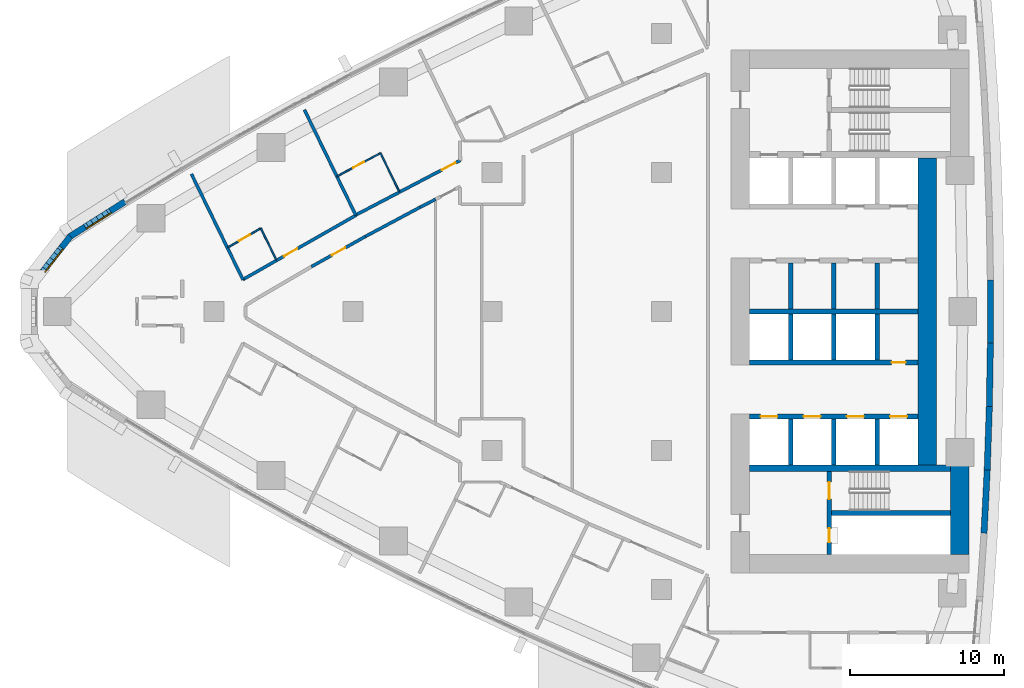
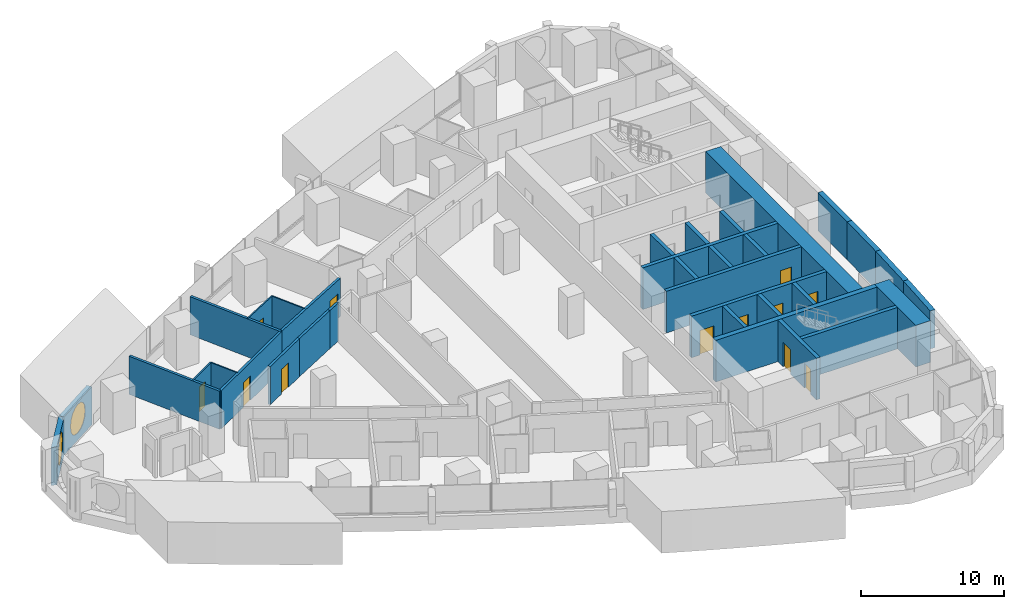
# One storey, part 11 of 19: 34 walls, 12 doors, 2 windows, 14 openings.
"""IFC4 building model written with IfcOpenShell, lengths in metres."""

import ifcopenshell
import ifcopenshell.guid

model = None  # the IFC model being written
_history = None  # IfcOwnerHistory: only IFC2X3 demands one
_inside = {}  # id of a spatial element -> (the spatial element, [elements in it])
_under = {}  # id of a project, library or spatial element -> (it, [spatial elements below it])
_declared = {}  # id of a project -> (the project, [libraries it declares])
_typed = {}  # id of a type object -> (the type object, [elements of that type])
_made_of = {}  # id of a material, layer set ... -> (it, [elements and type objects made of it])


def new_model(schema):
    """Start an empty IFC model of exactly this schema.

    Asked for "IFC4X3", IfcOpenShell would pick the latest addendum, in which some entities
    have other attributes; the version numbers below select the first issue.
    IFC2X3 requires an IfcOwnerHistory on every rooted entity: one is made here for all.
    """
    global model, _history
    if schema == "IFC4X3":
        model = ifcopenshell.file(schema_version=(4, 3, 0, 0))
    else:
        model = ifcopenshell.file(schema=schema)
    _inside.clear()
    _under.clear()
    _declared.clear()
    _typed.clear()
    _made_of.clear()
    _history = None
    if model.schema == "IFC2X3":
        org = make("IfcOrganization", Name="unknown")
        user = make(
            "IfcPersonAndOrganization",
            ThePerson=make("IfcPerson", FamilyName="unknown"),
            TheOrganization=org,
        )
        app = make(
            "IfcApplication",
            ApplicationDeveloper=org,
            Version="unknown",
            ApplicationFullName="unknown",
            ApplicationIdentifier="unknown",
        )
        _history = make(
            "IfcOwnerHistory",
            OwningUser=user,
            OwningApplication=app,
            ChangeAction="ADDED",
            CreationDate=0,
        )
    return model


def make(cls, **values):
    """One entity of the class cls with the attributes given. An attribute that is None is left unset."""
    return model.create_entity(
        cls, **{name: value for name, value in values.items() if value is not None}
    )


def rooted(cls, **values):
    """An entity with a GlobalId (a new one), such as an element, a storey or a relation."""
    return make(cls, GlobalId=ifcopenshell.guid.new(), OwnerHistory=_history, **values)


def si_unit(unit_type, name, prefix=None):
    """IfcSIUnit, for example si_unit("LENGTHUNIT", "METRE", prefix="MILLI")."""
    return make("IfcSIUnit", UnitType=unit_type, Prefix=prefix, Name=name)


def assignment(units):
    """IfcUnitAssignment: the units of a project."""
    return None if units is None else make("IfcUnitAssignment", Units=units)


def point(xyz):
    """IfcCartesianPoint."""
    return None if xyz is None else make("IfcCartesianPoint", Coordinates=xyz)


def direction(xyz):
    """IfcDirection."""
    return None if xyz is None else make("IfcDirection", DirectionRatios=xyz)


def frame(location, z_axis=None, x_axis=None):
    """IfcAxis2Placement3D, a coordinate frame: its origin and axes. An axis left out is left unset."""
    return make(
        "IfcAxis2Placement3D",
        Location=point(location),
        Axis=direction(z_axis),
        RefDirection=direction(x_axis),
    )


def frame_2d(location, x_axis=None):
    """IfcAxis2Placement2D, a coordinate frame in the plane: its origin and x axis."""
    return make(
        "IfcAxis2Placement2D", Location=point(location), RefDirection=direction(x_axis)
    )


def origin():
    """The frame at (0, 0, 0) with its axes left unset."""
    return frame((0.0, 0.0, 0.0))


def place(relative_to, where):
    """IfcLocalPlacement: puts the frame where relative to a parent placement (None: the world)."""
    return make(
        "IfcLocalPlacement", PlacementRelTo=relative_to, RelativePlacement=where
    )


def context(
    kind, dimensions, precision=None, world=None, true_north=None, identifier=None
):
    """IfcGeometricRepresentationContext, for example the 3D "Model" context."""
    return make(
        "IfcGeometricRepresentationContext",
        ContextIdentifier=identifier,
        ContextType=kind,
        CoordinateSpaceDimension=dimensions,
        Precision=precision,
        WorldCoordinateSystem=world,
        TrueNorth=true_north,
    )


def subcontext(parent, identifier, kind, view, scale=None):
    """IfcGeometricRepresentationSubContext, for example "Body" below "Model"."""
    return make(
        "IfcGeometricRepresentationSubContext",
        ContextIdentifier=identifier,
        ContextType=kind,
        ParentContext=parent,
        TargetScale=scale,
        TargetView=view,
    )


def project(units=None, contexts=None):
    """IfcProject with its units and contexts."""
    return rooted(
        "IfcProject",
        Name="project",
        RepresentationContexts=contexts,
        UnitsInContext=assignment(units),
    )


def spatial(cls, under=None, at=None, **own):
    """A site, building, storey or space (cls), placed at a placement, below another one or the project."""
    s = rooted(cls, ObjectPlacement=at, **own)
    if under is not None:
        _under.setdefault(under.id(), (under, []))[1].append(s)
    return s


def polyline(points):
    """IfcPolyline through the points."""
    return make("IfcPolyline", Points=[point(p) for p in points])


def profile(cls, at=None, kind="AREA", **sizes):
    """A parametric profile (cls). Its sizes go by their IFC names, for example OverallWidth=200.0."""
    return make(cls, ProfileType=kind, Position=at, **sizes)


def rectangle(**sizes):
    """IfcRectangleProfileDef."""
    return profile("IfcRectangleProfileDef", **sizes)


def outline(outer, holes=None, kind="AREA"):
    """IfcArbitraryClosedProfileDef: a profile drawn as a closed curve; with holes, ...WithVoids."""
    if holes is None:
        return make("IfcArbitraryClosedProfileDef", ProfileType=kind, OuterCurve=outer)
    return make(
        "IfcArbitraryProfileDefWithVoids",
        ProfileType=kind,
        OuterCurve=outer,
        InnerCurves=holes,
    )


def extrude(swept, where, along, depth):
    """IfcExtrudedAreaSolid: the profile swept, set in the frame where, extruded along a direction by depth."""
    return make(
        "IfcExtrudedAreaSolid",
        SweptArea=swept,
        Position=where,
        ExtrudedDirection=direction(along),
        Depth=depth,
    )


def shape(context_of_items, identifier, shape_type, items):
    """IfcShapeRepresentation: the items that make up one representation, for example the "Body"."""
    return make(
        "IfcShapeRepresentation",
        ContextOfItems=context_of_items,
        RepresentationIdentifier=identifier,
        RepresentationType=shape_type,
        Items=items,
    )


def material(Name=None, Category=None):
    """IfcMaterial."""
    return make("IfcMaterial", Name=Name, Category=Category)


def layer(
    of_material, thickness, ventilated=None, Name=None, Category=None, Priority=None
):
    """IfcMaterialLayer: one layer of a wall or slab, of a material (None: an air gap)."""
    return make(
        "IfcMaterialLayer",
        Material=of_material,
        LayerThickness=thickness,
        IsVentilated=ventilated,
        Name=Name,
        Category=Category,
        Priority=Priority,
    )


def layer_set(layers, Name=None):
    """IfcMaterialLayerSet."""
    return make("IfcMaterialLayerSet", MaterialLayers=layers, LayerSetName=Name)


def made_of(thing, what):
    """Note that an element or type object is made of a material, layer set ...; save() writes the relation."""
    if what is not None:
        _made_of.setdefault(what.id(), (what, []))[1].append(thing)
    return thing


def type_object(cls, material=None, **own):
    """A type object (cls), such as IfcWallType, which elements share."""
    return made_of(rooted(cls, **own), material)


def element(
    cls,
    number,
    at=None,
    inside=None,
    cuts=None,
    type_object=None,
    material=None,
    context=None,
    identifier="Body",
    shape_type=None,
    held_by="IfcProductDefinitionShape",
    body=None,
    shapes=None,
    **own,
):
    """One element of the class cls, such as IfcWall. Its Tag is "e" and its number.

    at: its placement. inside: the storey or other place that contains it. cuts: it is an
    opening in that element (IfcRelVoidsElement). A single representation is given by context,
    identifier, shape_type and body (its items); several are given by shapes. held_by: the class
    of the entity that holds the representations. save() writes the other relations.
    """
    e = rooted(cls, Tag="e%d" % number, ObjectPlacement=at, **own)
    if body is not None:
        shapes = [shape(context, identifier, shape_type, body)]
    if shapes is not None:
        e.Representation = make(held_by, Representations=shapes)
    if inside is not None:
        _inside.setdefault(inside.id(), (inside, []))[1].append(e)
    if cuts is not None:
        rooted(
            "IfcRelVoidsElement", RelatingBuildingElement=cuts, RelatedOpeningElement=e
        )
    if type_object is not None:
        _typed.setdefault(type_object.id(), (type_object, []))[1].append(e)
    return made_of(e, material)


def fill(opening, filler):
    """IfcRelFillsElement: the door or window that sits in an opening."""
    return rooted(
        "IfcRelFillsElement",
        RelatingOpeningElement=opening,
        RelatedBuildingElement=filler,
    )


def aggregate(whole, parts):
    """IfcRelAggregates: a whole, such as a stair, and the parts it consists of."""
    return rooted("IfcRelAggregates", RelatingObject=whole, RelatedObjects=parts)


def save(model, path):
    """Write the relations noted so far, then the file.

    IfcRelAggregates (storeys below a building ...), IfcRelContainedInSpatialStructure (elements
    in a storey), IfcRelDefinesByType, IfcRelAssociatesMaterial and IfcRelDeclares: one each for
    every whole, place, type object, material and project.
    """
    for whole, parts in _under.values():
        aggregate(whole, parts)
    for where, things in _inside.values():
        rooted(
            "IfcRelContainedInSpatialStructure",
            RelatedElements=things,
            RelatingStructure=where,
        )
    for kind, things in _typed.values():
        rooted("IfcRelDefinesByType", RelatedObjects=things, RelatingType=kind)
    for what, things in _made_of.values():
        rooted("IfcRelAssociatesMaterial", RelatedObjects=things, RelatingMaterial=what)
    for by, libraries in _declared.values():
        rooted("IfcRelDeclares", RelatingContext=by, RelatedDefinitions=libraries)
    model.write(path)


model = new_model("IFC4")

# Units and contexts
model_context = context("Model", 3, precision=1e-05, world=origin(), true_north=direction((0.0, 1.0)))
body_context = subcontext(model_context, "Body", "Model", "MODEL_VIEW")
ifc_project = project(units=[si_unit("LENGTHUNIT", "METRE"), si_unit("AREAUNIT", "SQUARE_METRE"), si_unit("VOLUMEUNIT", "CUBIC_METRE"), si_unit("PLANEANGLEUNIT", "RADIAN"), si_unit("MASSUNIT", "GRAM", prefix="KILO")], contexts=[model_context])

# Site, building, storey
site_placement = place(None, origin())
site = spatial("IfcSite", under=ifc_project, at=site_placement, CompositionType="ELEMENT")
building_placement = place(site_placement, origin())
building = spatial("IfcBuilding", under=site, at=building_placement, Name="Ostrand Prow Hotel Tower", CompositionType="ELEMENT")
storey_placement = place(building_placement, frame((0.0, 0.0, 53.800048828125)))
storey = spatial("IfcBuildingStorey", under=building, at=storey_placement, Name="L11", CompositionType="ELEMENT", Elevation=53.800048828125)

# Walls
ifc_material_1 = material(Name="Concrete C80/95", Category="concrete")
ifc_layer_1 = layer(ifc_material_1, 1.199951171875)
ifc_layer_set_1 = layer_set([ifc_layer_1], Name="Concrete C80/95")
wall_type_1 = type_object("IfcWallType", Name="Core wall 1200 C80/95", PredefinedType="SHEAR", material=ifc_layer_set_1)
wall_1_placement = place(storey_placement, frame((64.320068359375, -15.75, 0.0), z_axis=(0.0, 0.0, 1.0), x_axis=(0.0, 1.0, 0.0)))
element("IfcWall", 1, at=wall_1_placement, inside=storey, type_object=wall_type_1, Name="Core wall CW-E-S", PredefinedType="SHEAR", context=body_context, shape_type="SweptSolid", body=[
    extrude(rectangle(XDim=5.800048828125, YDim=1.199951171875, at=frame_2d((2.89990234375, 0.0))), origin(), (0.0, 0.0, 1.0), 3.550048828125),
])
wall_2_placement = place(storey_placement, frame((62.199951171875, -9.949951171875, 0.0), z_axis=(0.0, 0.0, 1.0), x_axis=(0.0, 1.0, 0.0)))
element("IfcWall", 2, at=wall_2_placement, inside=storey, type_object=wall_type_1, Name="Core wall CW-E-C", PredefinedType="SHEAR", context=body_context, shape_type="SweptSolid", body=[
    extrude(rectangle(XDim=19.89990234375, YDim=1.199951171875, at=frame_2d((9.949951171875, 0.0))), origin(), (0.0, 0.0, 1.0), 3.550048828125),
])
ifc_material_2 = material(Name="Concrete C80/95", Category="concrete")
ifc_layer_2 = layer(ifc_material_2, 0.300048828125)
ifc_layer_set_2 = layer_set([ifc_layer_2], Name="Concrete C80/95")
wall_type_2 = type_object("IfcWallType", Name="Core wall 300 C80/95", PredefinedType="SHEAR", material=ifc_layer_set_2)
wall_3_placement = place(storey_placement, frame((50.699951171875, 0.0, 0.0), z_axis=(0.0, 0.0, 1.0), x_axis=(1.0, 0.0, 0.0)))
element("IfcWall", 3, at=wall_3_placement, inside=storey, type_object=wall_type_2, Name="Core wall PW-C", PredefinedType="SHEAR", context=body_context, shape_type="SweptSolid", body=[
    extrude(rectangle(XDim=10.900146484375, YDim=0.300048828125, at=frame_2d((5.4501953125, 0.0))), origin(), (0.0, 0.0, 1.0), 3.550048828125),
])
for number, where, z_axis, x_axis, name in (
    (4, (53.35009765625, 0.14990234375, 0.0), (0.0, 0.0, 1.0), (0.0, 1.0, 0.0), "Core wall PW-R1-NB"),
    (5, (56.14990234375, 0.14990234375, 0.0), (0.0, 0.0, 1.0), (0.0, 1.0, 0.0), "Core wall PW-R2-NB"),
    (6, (58.949951171875, 0.14990234375, 0.0), (0.0, 0.0, 1.0), (0.0, 1.0, 0.0), "Core wall PW-R3-NB"),
):
    element("IfcWall", number, at=place(storey_placement, frame(where, z_axis=z_axis, x_axis=x_axis)), inside=storey, type_object=wall_type_2, Name=name, PredefinedType="SHEAR", context=body_context, shape_type="SweptSolid", body=[
        extrude(rectangle(XDim=3.0, YDim=0.300048828125, at=frame_2d((1.5, 0.0))), origin(), (0.0, 0.0, 1.0), 3.550048828125),
    ])

# Wall, opening, door
wall_4_placement = place(storey_placement, frame((50.699951171875, -3.300048828125, 0.0), z_axis=(0.0, 0.0, 1.0), x_axis=(1.0, 0.0, 0.0)))
wall_4 = element("IfcWall", 7, at=wall_4_placement, inside=storey, type_object=wall_type_2, Name="Core wall PW-L1-S", PredefinedType="SHEAR", context=body_context, shape_type="SweptSolid", body=[
    extrude(rectangle(XDim=10.900146484375, YDim=0.300048828125, at=frame_2d((5.4501953125, 0.0))), origin(), (0.0, 0.0, 1.0), 3.550048828125),
])
opening_1_placement = place(wall_4_placement, frame((9.199951171875, 0.0, 0.0)))
opening_1 = element("IfcOpeningElement", 8, at=opening_1_placement, cuts=wall_4, Name="Opening FD2", PredefinedType="OPENING", context=body_context, shape_type="SweptSolid", body=[
    extrude(rectangle(XDim=0.89990234375, YDim=2.10009765625, at=frame_2d((0.449951171875, 1.050048828125))), frame((0.0, 0.159912109375, 0.0), z_axis=(0.0, -1.0, 0.0), x_axis=(1.0, 0.0, 0.0)), (0.0, 0.0, 1.0), 0.320068359375),
])
ifc_material_3 = material(Name="Steel fire door", Category="steel")
door_type_1 = type_object("IfcDoorType", Name="Fire door 900 EI120", OperationType="SINGLE_SWING_LEFT", PredefinedType="DOOR", material=ifc_material_3)
door_1_placement = place(opening_1_placement, origin())
door_1 = element("IfcDoor", 9, at=door_1_placement, inside=storey, type_object=door_type_1, Name="DOOR", OperationType="SINGLE_SWING_LEFT", OverallHeight=2.10009765625, OverallWidth=0.89990234375, PredefinedType="DOOR", context=body_context, shape_type="SweptSolid", body=[
    extrude(rectangle(XDim=0.89990234375, YDim=2.10009765625, at=frame_2d((0.449951171875, 1.050048828125))), frame((0.0, 0.02490234375, 0.0), z_axis=(0.0, -1.0, 0.0), x_axis=(1.0, 0.0, 0.0)), (0.0, 0.0, 1.0), 0.050048828125),
])
fill(opening_1, door_1)

# Wall, openings, doors
wall_5_placement = place(storey_placement, frame((50.699951171875, -6.800048828125, 0.0), z_axis=(0.0, 0.0, 1.0), x_axis=(1.0, 0.0, 0.0)))
wall_5 = element("IfcWall", 10, at=wall_5_placement, inside=storey, type_object=wall_type_2, Name="Core wall PW-L2-S", PredefinedType="SHEAR", context=body_context, shape_type="SweptSolid", body=[
    extrude(rectangle(XDim=10.900146484375, YDim=0.300048828125, at=frame_2d((5.4501953125, 0.0))), origin(), (0.0, 0.0, 1.0), 3.550048828125),
])
opening_2_placement = place(wall_5_placement, frame((0.699951171875, 0.0, 0.0)))
opening_2 = element("IfcOpeningElement", 11, at=opening_2_placement, cuts=wall_5, Name="Opening LD", PredefinedType="OPENING", context=body_context, shape_type="SweptSolid", body=[
    extrude(rectangle(XDim=1.10009765625, YDim=2.10009765625, at=frame_2d((0.550048828125, 1.050048828125))), frame((0.0, 0.159912109375, 0.0), z_axis=(0.0, -1.0, 0.0), x_axis=(1.0, 0.0, 0.0)), (0.0, 0.0, 1.0), 0.320068359375),
])
opening_3_placement = place(wall_5_placement, frame((3.5, 0.0, 0.0)))
opening_3 = element("IfcOpeningElement", 12, at=opening_3_placement, cuts=wall_5, Name="Opening LD", PredefinedType="OPENING", context=body_context, shape_type="SweptSolid", body=[
    extrude(rectangle(XDim=1.10009765625, YDim=2.10009765625, at=frame_2d((0.550048828125, 1.050048828125))), frame((0.0, 0.159912109375, 0.0), z_axis=(0.0, -1.0, 0.0), x_axis=(1.0, 0.0, 0.0)), (0.0, 0.0, 1.0), 0.320068359375),
])
opening_4_placement = place(wall_5_placement, frame((6.300048828125, 0.0, 0.0)))
opening_4 = element("IfcOpeningElement", 13, at=opening_4_placement, cuts=wall_5, Name="Opening LD", PredefinedType="OPENING", context=body_context, shape_type="SweptSolid", body=[
    extrude(rectangle(XDim=1.10009765625, YDim=2.10009765625, at=frame_2d((0.550048828125, 1.050048828125))), frame((0.0, 0.159912109375, 0.0), z_axis=(0.0, -1.0, 0.0), x_axis=(1.0, 0.0, 0.0)), (0.0, 0.0, 1.0), 0.320068359375),
])
opening_5_placement = place(wall_5_placement, frame((9.10009765625, 0.0, 0.0)))
opening_5 = element("IfcOpeningElement", 14, at=opening_5_placement, cuts=wall_5, Name="Opening LD", PredefinedType="OPENING", context=body_context, shape_type="SweptSolid", body=[
    extrude(rectangle(XDim=1.10009765625, YDim=2.10009765625, at=frame_2d((0.550048828125, 1.050048828125))), frame((0.0, 0.159912109375, 0.0), z_axis=(0.0, -1.0, 0.0), x_axis=(1.0, 0.0, 0.0)), (0.0, 0.0, 1.0), 0.320068359375),
])
ifc_material_4 = material(Name="Stainless steel door", Category="steel")
door_type_2 = type_object("IfcDoorType", Name="Lift landing door 1100", OperationType="DOUBLE_DOOR_SLIDING", PredefinedType="DOOR", material=ifc_material_4)
door_2_placement = place(opening_2_placement, origin())
door_2 = element("IfcDoor", 15, at=door_2_placement, inside=storey, type_object=door_type_2, Name="LIFT LANDING DOOR", OperationType="DOUBLE_DOOR_SLIDING", OverallHeight=2.10009765625, OverallWidth=1.10009765625, PredefinedType="DOOR", context=body_context, shape_type="SweptSolid", body=[
    extrude(rectangle(XDim=1.10009765625, YDim=2.10009765625, at=frame_2d((0.550048828125, 1.050048828125))), frame((0.0, 0.02490234375, 0.0), z_axis=(0.0, -1.0, 0.0), x_axis=(1.0, 0.0, 0.0)), (0.0, 0.0, 1.0), 0.050048828125),
])
fill(opening_2, door_2)
door_3_placement = place(opening_3_placement, origin())
door_3 = element("IfcDoor", 16, at=door_3_placement, inside=storey, type_object=door_type_2, Name="LIFT LANDING DOOR", OperationType="DOUBLE_DOOR_SLIDING", OverallHeight=2.10009765625, OverallWidth=1.10009765625, PredefinedType="DOOR", context=body_context, shape_type="SweptSolid", body=[
    extrude(rectangle(XDim=1.10009765625, YDim=2.10009765625, at=frame_2d((0.550048828125, 1.050048828125))), frame((0.0, 0.02490234375, 0.0), z_axis=(0.0, -1.0, 0.0), x_axis=(1.0, 0.0, 0.0)), (0.0, 0.0, 1.0), 0.050048828125),
])
fill(opening_3, door_3)
door_4_placement = place(opening_4_placement, origin())
door_4 = element("IfcDoor", 17, at=door_4_placement, inside=storey, type_object=door_type_2, Name="LIFT LANDING DOOR", OperationType="DOUBLE_DOOR_SLIDING", OverallHeight=2.10009765625, OverallWidth=1.10009765625, PredefinedType="DOOR", context=body_context, shape_type="SweptSolid", body=[
    extrude(rectangle(XDim=1.10009765625, YDim=2.10009765625, at=frame_2d((0.550048828125, 1.050048828125))), frame((0.0, 0.02490234375, 0.0), z_axis=(0.0, -1.0, 0.0), x_axis=(1.0, 0.0, 0.0)), (0.0, 0.0, 1.0), 0.050048828125),
])
fill(opening_4, door_4)
door_5_placement = place(opening_5_placement, origin())
door_5 = element("IfcDoor", 18, at=door_5_placement, inside=storey, type_object=door_type_2, Name="LIFT LANDING DOOR", OperationType="DOUBLE_DOOR_SLIDING", OverallHeight=2.10009765625, OverallWidth=1.10009765625, PredefinedType="DOOR", context=body_context, shape_type="SweptSolid", body=[
    extrude(rectangle(XDim=1.10009765625, YDim=2.10009765625, at=frame_2d((0.550048828125, 1.050048828125))), frame((0.0, 0.02490234375, 0.0), z_axis=(0.0, -1.0, 0.0), x_axis=(1.0, 0.0, 0.0)), (0.0, 0.0, 1.0), 0.050048828125),
])
fill(opening_5, door_5)

# Walls
for number, where, z_axis, x_axis, name in (
    (19, (53.35009765625, -3.14990234375, 0.0), (0.0, 0.0, 1.0), (0.0, 1.0, 0.0), "Core wall PW-R1-SB"),
    (20, (53.35009765625, -9.949951171875, 0.0), (0.0, 0.0, 1.0), (0.0, 1.0, 0.0), "Core wall PW-R1-SA"),
    (21, (56.14990234375, -3.14990234375, 0.0), (0.0, 0.0, 1.0), (0.0, 1.0, 0.0), "Core wall PW-R2-SB"),
    (22, (56.14990234375, -9.949951171875, 0.0), (0.0, 0.0, 1.0), (0.0, 1.0, 0.0), "Core wall PW-R2-SA"),
    (23, (58.949951171875, -3.14990234375, 0.0), (0.0, 0.0, 1.0), (0.0, 1.0, 0.0), "Core wall PW-R3-SB"),
    (24, (58.949951171875, -9.949951171875, 0.0), (0.0, 0.0, 1.0), (0.0, 1.0, 0.0), "Core wall PW-R3-SA"),
):
    element("IfcWall", number, at=place(storey_placement, frame(where, z_axis=z_axis, x_axis=x_axis)), inside=storey, type_object=wall_type_2, Name=name, PredefinedType="SHEAR", context=body_context, shape_type="SweptSolid", body=[
        extrude(rectangle(XDim=3.0, YDim=0.300048828125, at=frame_2d((1.5, 0.0))), origin(), (0.0, 0.0, 1.0), 3.550048828125),
    ])

# Wall, openings, doors
wall_6_placement = place(storey_placement, frame((55.85009765625, -15.75, 0.0), z_axis=(0.0, 0.0, 1.0), x_axis=(0.0, 1.0, 0.0)))
wall_6 = element("IfcWall", 25, at=wall_6_placement, inside=storey, type_object=wall_type_2, Name="Core wall PW-VS", PredefinedType="SHEAR", context=body_context, shape_type="SweptSolid", body=[
    extrude(rectangle(XDim=5.39990234375, YDim=0.300048828125, at=frame_2d((2.699951171875, 0.0))), origin(), (0.0, 0.0, 1.0), 3.550048828125),
])
opening_6_placement = place(wall_6_placement, frame((3.60009765625, 0.0, 0.0)))
opening_6 = element("IfcOpeningElement", 26, at=opening_6_placement, cuts=wall_6, Name="Opening FD1", PredefinedType="OPENING", context=body_context, shape_type="SweptSolid", body=[
    extrude(rectangle(XDim=1.10009765625, YDim=2.10009765625, at=frame_2d((0.550048828125, 1.050048828125))), frame((0.0, 0.159912109375, 0.0), z_axis=(0.0, -1.0, 0.0), x_axis=(1.0, 0.0, 0.0)), (0.0, 0.0, 1.0), 0.320068359375),
])
opening_7_placement = place(wall_6_placement, frame((0.800048828125, 0.0, 0.0)))
opening_7 = element("IfcOpeningElement", 27, at=opening_7_placement, cuts=wall_6, Name="Opening FD2", PredefinedType="OPENING", context=body_context, shape_type="SweptSolid", body=[
    extrude(rectangle(XDim=0.89990234375, YDim=2.10009765625, at=frame_2d((0.449951171875, 1.050048828125))), frame((0.0, 0.159912109375, 0.0), z_axis=(0.0, -1.0, 0.0), x_axis=(1.0, 0.0, 0.0)), (0.0, 0.0, 1.0), 0.320068359375),
])
ifc_material_5 = material(Name="Steel fire door", Category="steel")
door_type_3 = type_object("IfcDoorType", Name="Fire door 1100 EI120", OperationType="SINGLE_SWING_RIGHT", PredefinedType="DOOR", material=ifc_material_5)
door_6_placement = place(opening_6_placement, origin())
door_6 = element("IfcDoor", 28, at=door_6_placement, inside=storey, type_object=door_type_3, Name="FIRE DOOR", OperationType="SINGLE_SWING_RIGHT", OverallHeight=2.10009765625, OverallWidth=1.10009765625, PredefinedType="DOOR", context=body_context, shape_type="SweptSolid", body=[
    extrude(rectangle(XDim=1.10009765625, YDim=2.10009765625, at=frame_2d((0.550048828125, 1.050048828125))), frame((0.0, 0.02490234375, 0.0), z_axis=(0.0, -1.0, 0.0), x_axis=(1.0, 0.0, 0.0)), (0.0, 0.0, 1.0), 0.050048828125),
])
fill(opening_6, door_6)
door_7_placement = place(opening_7_placement, origin())
door_7 = element("IfcDoor", 29, at=door_7_placement, inside=storey, type_object=door_type_1, Name="FIRE DOOR", OperationType="SINGLE_SWING_LEFT", OverallHeight=2.10009765625, OverallWidth=0.89990234375, PredefinedType="DOOR", context=body_context, shape_type="SweptSolid", body=[
    extrude(rectangle(XDim=0.89990234375, YDim=2.10009765625, at=frame_2d((0.449951171875, 1.050048828125))), frame((0.0, 0.02490234375, 0.0), z_axis=(0.0, -1.0, 0.0), x_axis=(1.0, 0.0, 0.0)), (0.0, 0.0, 1.0), 0.050048828125),
])
fill(opening_7, door_7)

# Walls
wall_7_placement = place(storey_placement, frame((56.0, -13.050048828125, 0.0), z_axis=(0.0, 0.0, 1.0), x_axis=(1.0, 0.0, 0.0)))
element("IfcWall", 30, at=wall_7_placement, inside=storey, type_object=wall_type_2, Name="Core wall PW-ST2R", PredefinedType="SHEAR", context=body_context, shape_type="SweptSolid", body=[
    extrude(rectangle(XDim=7.719970703125, YDim=0.300048828125, at=frame_2d((3.85986328125, 0.0))), origin(), (0.0, 0.0, 1.0), 3.550048828125),
])
ifc_material_6 = material(Name="Concrete C80/95", Category="concrete")
ifc_layer_3 = layer(ifc_material_6, 0.39990234375)
ifc_layer_set_3 = layer_set([ifc_layer_3], Name="Concrete C80/95")
wall_type_3 = type_object("IfcWallType", Name="Core wall 400 C80/95", PredefinedType="SHEAR", material=ifc_layer_set_3)
wall_8_placement = place(storey_placement, frame((50.699951171875, -10.14990234375, 0.0), z_axis=(0.0, 0.0, 1.0), x_axis=(1.0, 0.0, 0.0)))
element("IfcWall", 31, at=wall_8_placement, inside=storey, type_object=wall_type_3, Name="Core wall PW-BS", PredefinedType="SHEAR", context=body_context, shape_type="SweptSolid", body=[
    extrude(rectangle(XDim=13.02001953125, YDim=0.39990234375, at=frame_2d((6.510009765625, 0.0))), origin(), (0.0, 0.0, 1.0), 3.550048828125),
])

# Wall, opening, door
ifc_material_7 = material(Name="Plasterboard partition")
ifc_layer_4 = layer(ifc_material_7, 0.10009765625)
ifc_layer_set_4 = layer_set([ifc_layer_4], Name="Plasterboard partition")
wall_type_4 = type_object("IfcWallType", Name="Partition 100 bathroom wall", PredefinedType="PARTITIONING", material=ifc_layer_set_4)
wall_9_placement = place(storey_placement, frame((16.898193359375, 4.1435546875, 0.0), z_axis=(0.0, 0.0, 1.0), x_axis=(0.863707305865, 0.503993739837, 0.0)))
wall_9 = element("IfcWall", 32, at=wall_9_placement, inside=storey, type_object=wall_type_4, Name="BATHROOM WALL", PredefinedType="PARTITIONING", context=body_context, shape_type="SweptSolid", body=[
    extrude(rectangle(XDim=2.473876953125, YDim=0.10009765625, at=frame_2d((1.23681640625, 0.0))), origin(), (0.0, 0.0, 1.0), 3.25),
])
opening_8_placement = place(wall_9_placement, frame((0.85009765625, 0.0, 0.0)))
opening_8 = element("IfcOpeningElement", 33, at=opening_8_placement, cuts=wall_9, Name="Opening D2", PredefinedType="OPENING", context=body_context, shape_type="SweptSolid", body=[
    extrude(rectangle(XDim=0.800048828125, YDim=2.10009765625, at=frame_2d((0.39990234375, 1.050048828125))), frame((0.0, 0.06005859375, 0.0), z_axis=(0.0, -1.0, 0.0), x_axis=(1.0, 0.0, 0.0)), (0.0, 0.0, 1.0), 0.1201171875),
])
ifc_material_8 = material(Name="Timber door leaf", Category="wood")
door_type_4 = type_object("IfcDoorType", Name="Bathroom door 800", OperationType="SINGLE_SWING_LEFT", PredefinedType="DOOR", material=ifc_material_8)
door_8_placement = place(opening_8_placement, origin())
door_8 = element("IfcDoor", 34, at=door_8_placement, inside=storey, type_object=door_type_4, Name="DOOR", OperationType="SINGLE_SWING_LEFT", OverallHeight=2.10009765625, OverallWidth=0.800048828125, PredefinedType="DOOR", context=body_context, shape_type="SweptSolid", body=[
    extrude(rectangle(XDim=0.800048828125, YDim=2.10009765625, at=frame_2d((0.39990234375, 1.050048828125))), frame((0.0, 0.02490234375, 0.0), z_axis=(0.0, -1.0, 0.0), x_axis=(1.0, 0.0, 0.0)), (0.0, 0.0, 1.0), 0.050048828125),
])
fill(opening_8, door_8)

# Wall
wall_10_placement = place(storey_placement, frame((19.03515625, 5.390380859375, 0.0), z_axis=(0.0, 0.0, 1.0), x_axis=(0.438122322582, -0.898915363344, 0.0)))
element("IfcWall", 35, at=wall_10_placement, inside=storey, type_object=wall_type_4, Name="BATHROOM WALL", PredefinedType="PARTITIONING", context=body_context, shape_type="SweptSolid", body=[
    extrude(rectangle(XDim=2.282958984375, YDim=0.10009765625, at=frame_2d((1.1416015625, 0.0))), origin(), (0.0, 0.0, 1.0), 3.25),
])

# Wall, opening, door
wall_11_placement = place(storey_placement, frame((23.96240234375, 8.74755859375, 0.0), z_axis=(0.0, 0.0, 1.0), x_axis=(0.881653338438, 0.471897648672, 0.0)))
wall_11 = element("IfcWall", 36, at=wall_11_placement, inside=storey, type_object=wall_type_4, Name="BATHROOM WALL", PredefinedType="PARTITIONING", context=body_context, shape_type="SweptSolid", body=[
    extrude(rectangle(XDim=3.201904296875, YDim=0.10009765625, at=frame_2d((1.60107421875, 0.0))), origin(), (0.0, 0.0, 1.0), 3.25),
])
opening_9_placement = place(wall_11_placement, frame((1.199951171875, 0.0, 0.0)))
opening_9 = element("IfcOpeningElement", 37, at=opening_9_placement, cuts=wall_11, Name="Opening D2", PredefinedType="OPENING", context=body_context, shape_type="SweptSolid", body=[
    extrude(rectangle(XDim=0.800048828125, YDim=2.10009765625, at=frame_2d((0.39990234375, 1.050048828125))), frame((0.0, 0.06005859375, 0.0), z_axis=(0.0, -1.0, 0.0), x_axis=(1.0, 0.0, 0.0)), (0.0, 0.0, 1.0), 0.1201171875),
])
door_9_placement = place(opening_9_placement, origin())
door_9 = element("IfcDoor", 38, at=door_9_placement, inside=storey, type_object=door_type_4, Name="DOOR", OperationType="SINGLE_SWING_LEFT", OverallHeight=2.10009765625, OverallWidth=0.800048828125, PredefinedType="DOOR", context=body_context, shape_type="SweptSolid", body=[
    extrude(rectangle(XDim=0.800048828125, YDim=2.10009765625, at=frame_2d((0.39990234375, 1.050048828125))), frame((0.0, 0.02490234375, 0.0), z_axis=(0.0, -1.0, 0.0), x_axis=(1.0, 0.0, 0.0)), (0.0, 0.0, 1.0), 0.050048828125),
])
fill(opening_9, door_9)

# Wall
wall_12_placement = place(storey_placement, frame((26.78564453125, 10.258544921875, 0.0), z_axis=(0.0, 0.0, 1.0), x_axis=(0.43822975423, -0.898862994292, 0.0)))
element("IfcWall", 39, at=wall_12_placement, inside=storey, type_object=wall_type_4, Name="BATHROOM WALL", PredefinedType="PARTITIONING", context=body_context, shape_type="SweptSolid", body=[
    extrude(rectangle(XDim=2.77880859375, YDim=0.10009765625, at=frame_2d((1.389404296875, 0.0))), origin(), (0.0, 0.0, 1.0), 3.25),
])

# Wall, opening, door
ifc_material_9 = material(Name="Plasterboard partition")
ifc_layer_5 = layer(ifc_material_9, 0.199951171875)
ifc_layer_set_5 = layer_set([ifc_layer_5], Name="Plasterboard partition")
wall_type_5 = type_object("IfcWallType", Name="Partition 200 corridor wall", PredefinedType="PARTITIONING", material=ifc_layer_set_5)
wall_13_placement = place(storey_placement, frame((17.87353515625, 2.068115234375, 0.0), z_axis=(0.0, 0.0, 1.0), x_axis=(0.869280098963, 0.494319845391, 0.0)))
wall_13 = element("IfcWall", 40, at=wall_13_placement, inside=storey, type_object=wall_type_5, Name="CORRIDOR WALL", PredefinedType="PARTITIONING", context=body_context, shape_type="SweptSolid", body=[
    extrude(rectangle(XDim=8.4169921875, YDim=0.199951171875, at=frame_2d((4.20849609375, 0.0))), origin(), (0.0, 0.0, 1.0), 3.25),
])
opening_10_placement = place(wall_13_placement, frame((3.050048828125, 0.0, 0.0)))
opening_10 = element("IfcOpeningElement", 41, at=opening_10_placement, cuts=wall_13, Name="Opening D1", PredefinedType="OPENING", context=body_context, shape_type="SweptSolid", body=[
    extrude(rectangle(XDim=1.0, YDim=2.10009765625, at=frame_2d((0.5, 1.050048828125))), frame((0.0, 0.10986328125, 0.0), z_axis=(0.0, -1.0, 0.0), x_axis=(1.0, 0.0, 0.0)), (0.0, 0.0, 1.0), 0.219970703125),
])
ifc_material_10 = material(Name="Timber door leaf", Category="wood")
door_type_5 = type_object("IfcDoorType", Name="Guest room door 1000", OperationType="SINGLE_SWING_LEFT", PredefinedType="DOOR", material=ifc_material_10)
door_10_placement = place(opening_10_placement, origin())
door_10 = element("IfcDoor", 42, at=door_10_placement, inside=storey, type_object=door_type_5, Name="DOOR", OperationType="SINGLE_SWING_LEFT", OverallHeight=2.10009765625, OverallWidth=1.0, PredefinedType="DOOR", context=body_context, shape_type="SweptSolid", body=[
    extrude(rectangle(XDim=1.0, YDim=2.10009765625, at=frame_2d((0.5, 1.050048828125))), frame((0.0, 0.02490234375, 0.0), z_axis=(0.0, -1.0, 0.0), x_axis=(1.0, 0.0, 0.0)), (0.0, 0.0, 1.0), 0.050048828125),
])
fill(opening_10, door_10)

wall_14_placement = place(storey_placement, frame((31.949951171875, 9.79248046875, 0.0), z_axis=(0.0, 0.0, 1.0), x_axis=(-0.88581965272, -0.464029678851, 0.0)))
wall_14 = element("IfcWall", 43, at=wall_14_placement, inside=storey, type_object=wall_type_5, Name="CORRIDOR WALL", PredefinedType="PARTITIONING", context=body_context, shape_type="SweptSolid", body=[
    extrude(rectangle(XDim=7.64111328125, YDim=0.199951171875, at=frame_2d((3.820556640625, 0.0))), origin(), (0.0, 0.0, 1.0), 3.25),
])
opening_11_placement = place(wall_14_placement, frame((0.35009765625, 0.0, 0.0)))
opening_11 = element("IfcOpeningElement", 44, at=opening_11_placement, cuts=wall_14, Name="Opening D1", PredefinedType="OPENING", context=body_context, shape_type="SweptSolid", body=[
    extrude(rectangle(XDim=1.0, YDim=2.10009765625, at=frame_2d((0.5, 1.050048828125))), frame((0.0, 0.10986328125, 0.0), z_axis=(0.0, -1.0, 0.0), x_axis=(1.0, 0.0, 0.0)), (0.0, 0.0, 1.0), 0.219970703125),
])
door_11_placement = place(opening_11_placement, origin())
door_11 = element("IfcDoor", 45, at=door_11_placement, inside=storey, type_object=door_type_5, Name="DOOR", OperationType="SINGLE_SWING_LEFT", OverallHeight=2.10009765625, OverallWidth=1.0, PredefinedType="DOOR", context=body_context, shape_type="SweptSolid", body=[
    extrude(rectangle(XDim=1.0, YDim=2.10009765625, at=frame_2d((0.5, 1.050048828125))), frame((0.0, 0.02490234375, 0.0), z_axis=(0.0, -1.0, 0.0), x_axis=(1.0, 0.0, 0.0)), (0.0, 0.0, 1.0), 0.050048828125),
])
fill(opening_11, door_11)

wall_15_placement = place(storey_placement, frame((22.31201171875, 2.903076171875, 0.0), z_axis=(0.0, 0.0, 1.0), x_axis=(0.872800289292, 0.488077509225, 0.0)))
wall_15 = element("IfcWall", 46, at=wall_15_placement, inside=storey, type_object=wall_type_5, Name="CORRIDOR WALL", PredefinedType="PARTITIONING", context=body_context, shape_type="SweptSolid", body=[
    extrude(rectangle(XDim=4.015625, YDim=0.199951171875, at=frame_2d((2.0078125, 0.0))), origin(), (0.0, 0.0, 1.0), 3.25),
])
opening_12_placement = place(wall_15_placement, frame((1.5078125, 0.0, 0.0)))
opening_12 = element("IfcOpeningElement", 47, at=opening_12_placement, cuts=wall_15, Name="Opening D1R", PredefinedType="OPENING", context=body_context, shape_type="SweptSolid", body=[
    extrude(rectangle(XDim=1.0, YDim=2.10009765625, at=frame_2d((0.5, 1.050048828125))), frame((0.0, 0.10986328125, 0.0), z_axis=(0.0, -1.0, 0.0), x_axis=(1.0, 0.0, 0.0)), (0.0, 0.0, 1.0), 0.219970703125),
])
ifc_material_11 = material(Name="Timber door leaf", Category="wood")
door_type_6 = type_object("IfcDoorType", Name="Guest room door 1000 right", OperationType="SINGLE_SWING_RIGHT", PredefinedType="DOOR", material=ifc_material_11)
door_12_placement = place(opening_12_placement, origin())
door_12 = element("IfcDoor", 48, at=door_12_placement, inside=storey, type_object=door_type_6, Name="DOOR", OperationType="SINGLE_SWING_RIGHT", OverallHeight=2.10009765625, OverallWidth=1.0, PredefinedType="DOOR", context=body_context, shape_type="SweptSolid", body=[
    extrude(rectangle(XDim=1.0, YDim=2.10009765625, at=frame_2d((0.5, 1.050048828125))), frame((0.0, 0.02490234375, 0.0), z_axis=(0.0, -1.0, 0.0), x_axis=(1.0, 0.0, 0.0)), (0.0, 0.0, 1.0), 0.050048828125),
])
fill(opening_12, door_12)

# Walls
wall_16_placement = place(storey_placement, frame((29.357421875, 6.758056640625, 0.0), z_axis=(0.0, 0.0, 1.0), x_axis=(0.890241988655, 0.455487872106, 0.0)))
element("IfcWall", 49, at=wall_16_placement, inside=storey, type_object=wall_type_5, Name="CORRIDOR WALL", PredefinedType="PARTITIONING", context=body_context, shape_type="SweptSolid", body=[
    extrude(rectangle(XDim=1.11865234375, YDim=0.199951171875, at=frame_2d((0.559326171875, 0.0))), origin(), (0.0, 0.0, 1.0), 3.25),
])
wall_17_placement = place(storey_placement, frame((25.81689453125, 4.863037109375, 0.0), z_axis=(0.0, 0.0, 1.0), x_axis=(0.881655245922, 0.471894084874, 0.0)))
element("IfcWall", 50, at=wall_17_placement, inside=storey, type_object=wall_type_5, Name="CORRIDOR WALL", PredefinedType="PARTITIONING", context=body_context, shape_type="SweptSolid", body=[
    extrude(rectangle(XDim=4.015869140625, YDim=0.199951171875, at=frame_2d((2.0078125, 0.0))), origin(), (0.0, 0.0, 1.0), 3.25),
])
ifc_material_12 = material(Name="Plasterboard partition")
ifc_layer_6 = layer(ifc_material_12, 0.199951171875)
ifc_layer_set_6 = layer_set([ifc_layer_6], Name="Plasterboard partition")
wall_type_6 = type_object("IfcWallType", Name="Partition 200 key partition", PredefinedType="PARTITIONING", material=ifc_layer_set_6)
wall_18_placement = place(storey_placement, frame((17.88232421875, 2.050048828125, 0.0), z_axis=(0.0, 0.0, 1.0), x_axis=(-0.438213564788, 0.898870887078, 0.0)))
element("IfcWall", 51, at=wall_18_placement, inside=storey, type_object=wall_type_6, Name="KEY PARTITION", PredefinedType="PARTITIONING", context=body_context, shape_type="SweptSolid", body=[
    extrude(rectangle(XDim=7.62548828125, YDim=0.199951171875, at=frame_2d((3.812744140625, 0.0))), origin(), (0.0, 0.0, 1.0), 3.25),
])
wall_19_placement = place(storey_placement, frame((25.190185546875, 6.228759765625, 0.0), z_axis=(0.0, 0.0, 1.0), x_axis=(-0.438202895602, 0.898876088394, 0.0)))
element("IfcWall", 52, at=wall_19_placement, inside=storey, type_object=wall_type_6, Name="KEY PARTITION", PredefinedType="PARTITIONING", context=body_context, shape_type="SweptSolid", body=[
    extrude(rectangle(XDim=7.60546875, YDim=0.199951171875, at=frame_2d((3.802734375, 0.0))), origin(), (0.0, 0.0, 1.0), 3.25),
])

# Wall, opening, window
ifc_material_13 = material(Name="Precast concrete C40/50", Category="concrete")
ifc_layer_7 = layer(ifc_material_13, 0.39990234375)
ifc_layer_set_7 = layer_set([ifc_layer_7], Name="Precast concrete C40/50")
wall_type_7 = type_object("IfcWallType", Name="Stone-faced precast wall 400 mm", PredefinedType="NOTDEFINED", material=ifc_layer_set_7)
wall_20_placement = place(storey_placement, frame((10.24169921875, 7.116455078125, 0.0), z_axis=(0.0, 0.0, 1.0), x_axis=(-0.844551578623, -0.535474211372, 0.0)))
wall_20 = element("IfcWall", 53, at=wall_20_placement, inside=storey, type_object=wall_type_7, Name="Stone-faced wall prow 1", PredefinedType="NOTDEFINED", context=body_context, shape_type="SweptSolid", body=[
    extrude(outline(polyline([(0.0, -0.199951171875), (4.23046875, -0.199951171875), (4.16162109375, 0.199951171875), (0.0, 0.199951171875), (0.0, -0.199951171875)])), origin(), (0.0, 0.0, 1.0), 3.25),
])
opening_13_placement = place(wall_20_placement, frame((0.998046875, 0.0, 0.60009765625)))
opening_13 = element("IfcOpeningElement", 54, at=opening_13_placement, cuts=wall_20, Name="Opening WP1", PredefinedType="OPENING", context=body_context, shape_type="SweptSolid", body=[
    extrude(outline(polyline([(0.0, 1.35009765625), (0.083740234375, 1.77099609375), (0.322265625, 2.127685546875), (0.678955078125, 2.3662109375), (1.10009765625, 2.449951171875), (1.52099609375, 2.3662109375), (1.877685546875, 2.127685546875), (2.1162109375, 1.77099609375), (2.199951171875, 1.35009765625), (2.199951171875, 1.10009765625), (2.1162109375, 0.678955078125), (1.877685546875, 0.322265625), (1.52099609375, 0.083740234375), (1.10009765625, 0.0), (0.678955078125, 0.083740234375), (0.322265625, 0.322265625), (0.083740234375, 0.678955078125), (0.0, 1.099853515625), (0.0, 1.35009765625)])), frame((0.0, 0.2099609375, 0.0), z_axis=(0.0, -1.0, 0.0), x_axis=(1.0, 0.0, 0.0)), (0.0, 0.0, 1.0), 0.419921875),
])
ifc_material_14 = material(Name="Insulated glass in bronze frame", Category="glass")
window_type = type_object("IfcWindowType", Name="Round-ended prow window 2200x2450", PartitioningType="SINGLE_PANEL", PredefinedType="WINDOW", material=ifc_material_14)
window_1_placement = place(opening_13_placement, origin())
window_1 = element("IfcWindow", 55, at=window_1_placement, inside=storey, type_object=window_type, Name="Window prow 1.1", OverallHeight=2.449951171875, OverallWidth=2.199951171875, PartitioningType="SINGLE_PANEL", PredefinedType="WINDOW", context=body_context, shape_type="SweptSolid", body=[
    extrude(outline(polyline([(0.0, 1.35009765625), (0.083740234375, 1.77099609375), (0.322265625, 2.127685546875), (0.678955078125, 2.3662109375), (1.10009765625, 2.449951171875), (1.52099609375, 2.3662109375), (1.877685546875, 2.127685546875), (2.1162109375, 1.77099609375), (2.199951171875, 1.35009765625), (2.199951171875, 1.10009765625), (2.1162109375, 0.678955078125), (1.877685546875, 0.322265625), (1.52099609375, 0.083740234375), (1.10009765625, 0.0), (0.678955078125, 0.083740234375), (0.322265625, 0.322265625), (0.083740234375, 0.678955078125), (0.0, 1.099853515625), (0.0, 1.35009765625)])), frame((0.0, 0.169921875, 0.0), z_axis=(0.0, -1.0, 0.0), x_axis=(1.0, 0.0, 0.0)), (0.0, 0.0, 1.0), 0.06005859375),
])
fill(opening_13, window_1)

wall_21_placement = place(storey_placement, frame((6.697998046875, 4.86962890625, 0.0), z_axis=(0.0, 0.0, 1.0), x_axis=(-0.616586647779, -0.787287054245, 0.0)))
wall_21 = element("IfcWall", 56, at=wall_21_placement, inside=storey, type_object=wall_type_7, Name="Stone-faced wall prow 2", PredefinedType="NOTDEFINED", context=body_context, shape_type="SweptSolid", body=[
    extrude(outline(polyline([(-0.034423828125, -0.199951171875), (3.85205078125, -0.199951171875), (3.7138671875, 0.199951171875), (0.034423828125, 0.199951171875), (-0.034423828125, -0.199951171875)])), origin(), (0.0, 0.0, 1.0), 3.25),
])
opening_14_placement = place(wall_21_placement, frame((0.79150390625, 0.0, 0.60009765625)))
opening_14 = element("IfcOpeningElement", 57, at=opening_14_placement, cuts=wall_21, Name="Opening WP1", PredefinedType="OPENING", context=body_context, shape_type="SweptSolid", body=[
    extrude(outline(polyline([(0.0, 1.35009765625), (0.083740234375, 1.77099609375), (0.322265625, 2.127685546875), (0.678955078125, 2.3662109375), (1.10009765625, 2.449951171875), (1.52099609375, 2.3662109375), (1.877685546875, 2.127685546875), (2.1162109375, 1.77099609375), (2.199951171875, 1.35009765625), (2.199951171875, 1.10009765625), (2.1162109375, 0.678955078125), (1.877685546875, 0.322265625), (1.52099609375, 0.083740234375), (1.10009765625, 0.0), (0.678955078125, 0.083740234375), (0.322265625, 0.322265625), (0.083740234375, 0.678955078125), (0.0, 1.099853515625), (0.0, 1.35009765625)])), frame((0.0, 0.2099609375, 0.0), z_axis=(0.0, -1.0, 0.0), x_axis=(1.0, 0.0, 0.0)), (0.0, 0.0, 1.0), 0.419921875),
])
window_2_placement = place(opening_14_placement, origin())
window_2 = element("IfcWindow", 58, at=window_2_placement, inside=storey, type_object=window_type, Name="Window prow 2.1", OverallHeight=2.449951171875, OverallWidth=2.199951171875, PartitioningType="SINGLE_PANEL", PredefinedType="WINDOW", context=body_context, shape_type="SweptSolid", body=[
    extrude(outline(polyline([(0.0, 1.35009765625), (0.083740234375, 1.77099609375), (0.322265625, 2.127685546875), (0.678955078125, 2.3662109375), (1.10009765625, 2.449951171875), (1.52099609375, 2.3662109375), (1.877685546875, 2.127685546875), (2.1162109375, 1.77099609375), (2.199951171875, 1.35009765625), (2.199951171875, 1.10009765625), (2.1162109375, 0.678955078125), (1.877685546875, 0.322265625), (1.52099609375, 0.083740234375), (1.10009765625, 0.0), (0.678955078125, 0.083740234375), (0.322265625, 0.322265625), (0.083740234375, 0.678955078125), (0.0, 1.099853515625), (0.0, 1.35009765625)])), frame((0.0, 0.169921875, 0.0), z_axis=(0.0, -1.0, 0.0), x_axis=(1.0, 0.0, 0.0)), (0.0, 0.0, 1.0), 0.06005859375),
])
fill(opening_14, window_2)

# Walls
for number, where, z_axis, x_axis, name in (
    (59, (65.878173828125, -14.359619140625, 0.0), (0.0, 0.0, 1.0), (0.050314326423, 0.998733432181, 0.0), "Stone-faced wall back 7"),
    (60, (66.084716796875, -10.259765625, 0.0), (0.0, 0.0, 1.0), (0.033542554696, 0.999437290191, 0.0), "Stone-faced wall back 8"),
    (61, (66.222412109375, -6.156982421875, 0.0), (0.0, 0.0, 1.0), (0.016830829972, 0.999858351549, 0.0), "Stone-faced wall back 9"),
    (62, (66.29150390625, -2.052490234375, 0.0), (0.0, 0.0, 1.0), (0.0, 1.0, 0.0), "Stone-faced wall back 10"),
):
    element("IfcWall", number, at=place(storey_placement, frame(where, z_axis=z_axis, x_axis=x_axis)), inside=storey, type_object=wall_type_7, Name=name, PredefinedType="NOTDEFINED", context=body_context, shape_type="SweptSolid", body=[
        extrude(outline(polyline([(-0.001708984375, -0.199951171875), (4.106689453125, -0.199951171875), (4.103271484375, 0.199951171875), (0.001708984375, 0.199951171875), (-0.001708984375, -0.199951171875)])), origin(), (0.0, 0.0, 1.0), 3.25),
    ])

save(model, "model.ifc")
